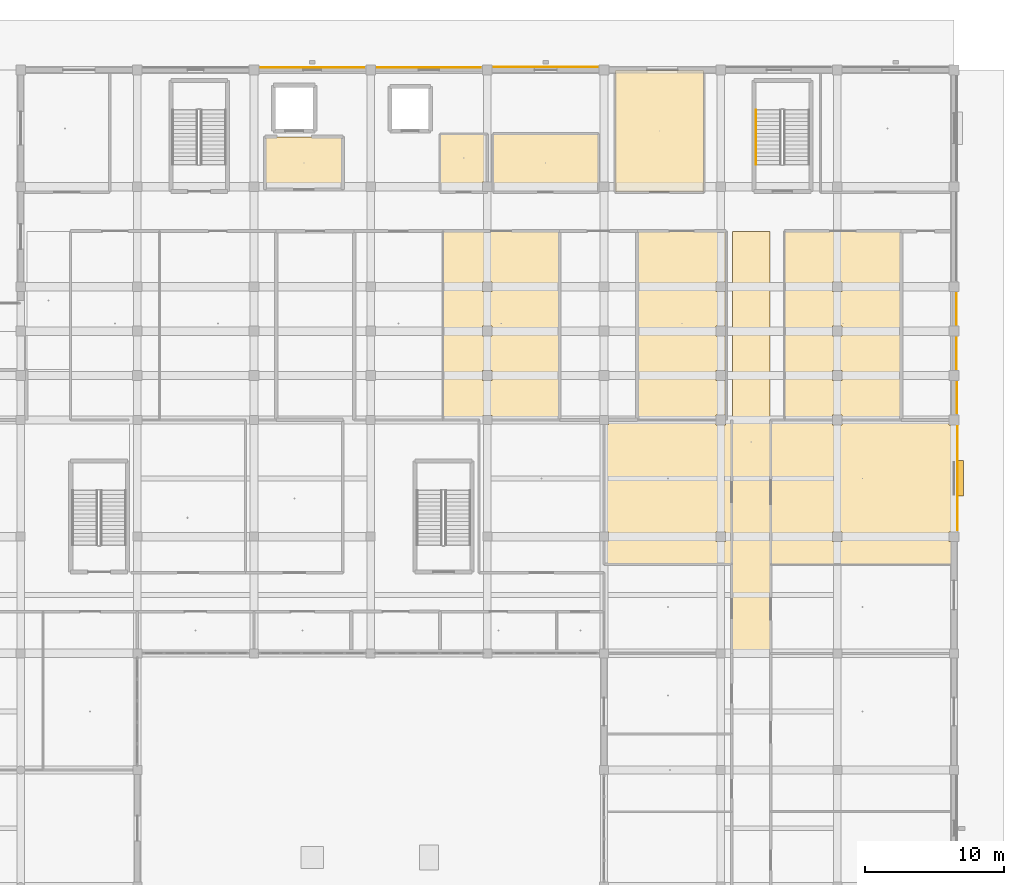
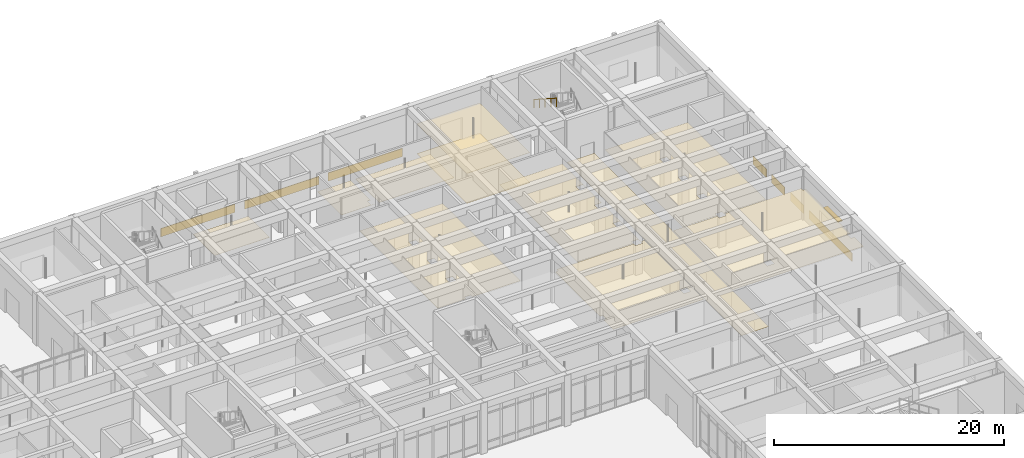
# One storey, part 166 of 167: 18 coverings, 1 railing, 1 shading device.
"""IFC4 building model written with IfcOpenShell, lengths in metres."""

from ifc_helpers import new_model, si_unit, direction, frame, origin, origin_2d, place, context, subcontext, project, spatial, polyline, rectangle, circle, outline, extrude, material, layer, layer_set, type_object, element, save


model = new_model("IFC4")

# Units and contexts
model_context = context("Model", 3, precision=1e-05, world=origin(), true_north=direction((0.0, 1.0)))
body_context = subcontext(model_context, "Body", "Model", "MODEL_VIEW")
ifc_project = project(units=[si_unit("LENGTHUNIT", "METRE"), si_unit("AREAUNIT", "SQUARE_METRE"), si_unit("VOLUMEUNIT", "CUBIC_METRE"), si_unit("PLANEANGLEUNIT", "RADIAN"), si_unit("MASSUNIT", "GRAM", prefix="KILO")], contexts=[model_context])

# Site, building, storey
site_placement = place(None, origin())
site = spatial("IfcSite", under=ifc_project, at=site_placement, CompositionType="ELEMENT")
building_placement = place(site_placement, origin())
building = spatial("IfcBuilding", under=site, at=building_placement, Name="Varncliffe General Hospital", CompositionType="ELEMENT")
storey_placement = place(building_placement, origin())
storey = spatial("IfcBuildingStorey", under=building, at=storey_placement, Name="L00", CompositionType="ELEMENT", Elevation=0.0)

# Coverings
ifc_material_1 = material(Name="Hygienic antimicrobial acoustic suspended ceiling tile", Category="gypsum")
ifc_layer_1 = layer(ifc_material_1, 0.02490234375)
ifc_layer_set_1 = layer_set([ifc_layer_1], Name="Hygienic antimicrobial acoustic suspended ceiling tile")
covering_type_1 = type_object("IfcCoveringType", Name="Antimicrobial Acoustic Suspended Ceiling CLG44", PredefinedType="CEILING", material=ifc_layer_set_1)
covering_1_placement = place(storey_placement, frame((0.0, 0.0, 3.175048828125)))
element("IfcCovering", 1, at=covering_1_placement, inside=storey, type_object=covering_type_1, Name="L00 Firefighting Lift Lobby LF03 Suspended Ceiling", PredefinedType="CEILING", context=body_context, shape_type="SweptSolid", body=[
    extrude(outline(polyline([(132.360107421875, 116.239990234375), (132.360107421875, 119.9599609375), (126.840087890625, 119.9599609375), (126.840087890625, 116.239990234375), (132.360107421875, 116.239990234375)])), origin(), (0.0, 0.0, 1.0), 0.02490234375),
])
covering_2_placement = place(storey_placement, frame((0.0, 0.0, 3.175048828125)))
element("IfcCovering", 2, at=covering_2_placement, inside=storey, type_object=covering_type_1, Name="L00 East Link Corridor L00 Suspended Ceiling", PredefinedType="CEILING", context=body_context, shape_type="SweptSolid", body=[
    extrude(outline(polyline([(163.159912109375, 82.840087890625), (163.159912109375, 113.159912109375), (160.43994140625, 113.159912109375), (160.43994140625, 82.840087890625), (163.159912109375, 82.840087890625)])), origin(), (0.0, 0.0, 1.0), 0.02490234375),
])
covering_3_placement = place(storey_placement, frame((0.0, 0.0, 3.175048828125)))
element("IfcCovering", 3, at=covering_3_placement, inside=storey, type_object=covering_type_1, Name="L00 Accessible WC L00-NE Suspended Ceiling", PredefinedType="CEILING", context=body_context, shape_type="SweptSolid", body=[
    extrude(outline(polyline([(142.760009765625, 116.0400390625), (139.43994140625, 116.0400390625), (139.43994140625, 120.159912109375), (142.760009765625, 120.159912109375), (142.760009765625, 116.75), (142.449951171875, 116.75), (142.449951171875, 116.050048828125), (142.760009765625, 116.050048828125), (142.760009765625, 116.0400390625)])), origin(), (0.0, 0.0, 1.0), 0.02490234375),
])
covering_4_placement = place(storey_placement, frame((0.0, 0.0, 3.175048828125)))
element("IfcCovering", 4, at=covering_4_placement, inside=storey, type_object=covering_type_1, Name="L00 Staff and Visitor WC L00-NE Suspended Ceiling", PredefinedType="CEILING", context=body_context, shape_type="SweptSolid", body=[
    extrude(outline(polyline([(150.760009765625, 116.0400390625), (150.760009765625, 120.159912109375), (143.239990234375, 120.159912109375), (143.239990234375, 116.0400390625), (150.760009765625, 116.0400390625)])), origin(), (0.0, 0.0, 1.0), 0.02490234375),
])
covering_5_placement = place(storey_placement, frame((0.0, 0.0, 3.175048828125)))
element("IfcCovering", 5, at=covering_5_placement, inside=storey, type_object=covering_type_1, Name="L00 Rehabilitation Ambulation Training Room 126 Suspended Ceiling", PredefinedType="CEILING", context=body_context, shape_type="SweptSolid", body=[
    extrude(outline(polyline([(139.639892578125, 99.639892578125), (139.639892578125, 113.159912109375), (147.9599609375, 113.159912109375), (147.9599609375, 99.639892578125), (143.125, 99.639892578125), (143.125, 99.925048828125), (142.47509765625, 99.925048828125), (142.47509765625, 99.639892578125), (139.639892578125, 99.639892578125)]), holes=[polyline([(143.14990234375, 102.449951171875), (143.14990234375, 103.14990234375), (142.449951171875, 103.14990234375), (142.449951171875, 102.449951171875), (143.14990234375, 102.449951171875)]), polyline([(143.14990234375, 105.64990234375), (143.14990234375, 106.35009765625), (142.449951171875, 106.35009765625), (142.449951171875, 105.64990234375), (143.14990234375, 105.64990234375)]), polyline([(143.14990234375, 108.85009765625), (143.14990234375, 109.550048828125), (142.449951171875, 109.550048828125), (142.449951171875, 108.85009765625), (143.14990234375, 108.85009765625)])]), origin(), (0.0, 0.0, 1.0), 0.02490234375),
])
covering_6_placement = place(storey_placement, frame((0.0, 0.0, 3.175048828125)))
element("IfcCovering", 6, at=covering_6_placement, inside=storey, type_object=covering_type_1, Name="L00 Outpatient Phlebotomy and Pre-Admission Clinic 128 Suspended Ceiling", PredefinedType="CEILING", context=body_context, shape_type="SweptSolid", body=[
    extrude(outline(polyline([(153.639892578125, 99.639892578125), (153.639892578125, 113.159912109375), (159.9599609375, 113.159912109375), (159.9599609375, 99.639892578125), (159.949951171875, 99.639892578125), (159.949951171875, 99.949951171875), (159.25, 99.949951171875), (159.25, 99.639892578125), (153.639892578125, 99.639892578125)]), holes=[polyline([(159.949951171875, 102.449951171875), (159.949951171875, 103.14990234375), (159.25, 103.14990234375), (159.25, 102.449951171875), (159.949951171875, 102.449951171875)]), polyline([(159.949951171875, 105.64990234375), (159.949951171875, 106.35009765625), (159.25, 106.35009765625), (159.25, 105.64990234375), (159.949951171875, 105.64990234375)]), polyline([(159.949951171875, 108.85009765625), (159.949951171875, 109.550048828125), (159.25, 109.550048828125), (159.25, 108.85009765625), (159.949951171875, 108.85009765625)])]), origin(), (0.0, 0.0, 1.0), 0.02490234375),
])
covering_7_placement = place(storey_placement, frame((0.0, 0.0, 3.175048828125)))
element("IfcCovering", 7, at=covering_7_placement, inside=storey, type_object=covering_type_1, Name="L00 Rehabilitation Ambulation Training Room 129 Suspended Ceiling", PredefinedType="CEILING", context=body_context, shape_type="SweptSolid", body=[
    extrude(outline(polyline([(164.239990234375, 99.639892578125), (164.239990234375, 113.159912109375), (172.56005859375, 113.159912109375), (172.56005859375, 99.639892578125), (168.35009765625, 99.639892578125), (168.35009765625, 99.949951171875), (167.64990234375, 99.949951171875), (167.64990234375, 99.639892578125), (164.239990234375, 99.639892578125)]), holes=[polyline([(168.35009765625, 102.449951171875), (168.35009765625, 103.14990234375), (167.64990234375, 103.14990234375), (167.64990234375, 102.449951171875), (168.35009765625, 102.449951171875)]), polyline([(168.35009765625, 105.64990234375), (168.35009765625, 106.35009765625), (167.64990234375, 106.35009765625), (167.64990234375, 105.64990234375), (168.35009765625, 105.64990234375)]), polyline([(168.35009765625, 108.85009765625), (168.35009765625, 109.550048828125), (167.64990234375, 109.550048828125), (167.64990234375, 108.85009765625), (168.35009765625, 108.85009765625)])]), origin(), (0.0, 0.0, 1.0), 0.02490234375),
])
covering_8_placement = place(storey_placement, frame((0.0, 0.0, 3.175048828125)))
element("IfcCovering", 8, at=covering_8_placement, inside=storey, type_object=covering_type_1, Name="L00 Outpatient Phlebotomy and Pre-Admission Clinic 135 Suspended Ceiling", PredefinedType="CEILING", context=body_context, shape_type="SweptSolid", body=[
    extrude(outline(polyline([(158.360107421875, 116.0400390625), (158.360107421875, 124.760009765625), (152.0400390625, 124.760009765625), (152.0400390625, 116.0400390625), (158.360107421875, 116.0400390625)])), origin(), (0.0, 0.0, 1.0), 0.02490234375),
])
covering_9_placement = place(storey_placement, frame((0.0, 0.0, 3.175048828125)))
element("IfcCovering", 9, at=covering_9_placement, inside=storey, type_object=covering_type_1, Name="L00 Rehabilitation Ambulation Training Room 140 Suspended Ceiling", PredefinedType="CEILING", context=body_context, shape_type="SweptSolid", body=[
    extrude(outline(polyline([(160.360107421875, 89.239990234375), (151.239990234375, 89.239990234375), (151.239990234375, 90.875), (151.52490234375, 90.875), (151.52490234375, 91.52490234375), (151.239990234375, 91.52490234375), (151.239990234375, 99.27490234375), (151.52490234375, 99.27490234375), (151.52490234375, 99.56005859375), (159.25, 99.56005859375), (159.25, 99.25), (159.949951171875, 99.25), (159.949951171875, 99.56005859375), (160.360107421875, 99.56005859375), (160.360107421875, 89.239990234375)]), holes=[polyline([(159.949951171875, 90.85009765625), (159.949951171875, 91.550048828125), (159.25, 91.550048828125), (159.25, 90.85009765625), (159.949951171875, 90.85009765625)])]), origin(), (0.0, 0.0, 1.0), 0.02490234375),
])
covering_10_placement = place(storey_placement, frame((0.0, 0.0, 3.175048828125)))
element("IfcCovering", 10, at=covering_10_placement, inside=storey, type_object=covering_type_1, Name="L00 Rehabilitation Ambulation Training Room 142 Suspended Ceiling", PredefinedType="CEILING", context=body_context, shape_type="SweptSolid", body=[
    extrude(outline(polyline([(176.050048828125, 91.550048828125), (176.050048828125, 90.85009765625), (176.360107421875, 90.85009765625), (176.360107421875, 89.239990234375), (163.239990234375, 89.239990234375), (163.239990234375, 99.56005859375), (167.64990234375, 99.56005859375), (167.64990234375, 99.25), (168.35009765625, 99.25), (168.35009765625, 99.56005859375), (176.050048828125, 99.56005859375), (176.050048828125, 99.25), (176.360107421875, 99.25), (176.360107421875, 91.550048828125), (176.050048828125, 91.550048828125)]), holes=[polyline([(168.35009765625, 90.85009765625), (168.35009765625, 91.550048828125), (167.64990234375, 91.550048828125), (167.64990234375, 90.85009765625), (168.35009765625, 90.85009765625)])]), origin(), (0.0, 0.0, 1.0), 0.02490234375),
])

# Shading device
ifc_material_2 = material(Name="Dark bronze extruded aluminium solar jalousie louvres", Category="aluminium")
ifc_layer_2 = layer(ifc_material_2, 0.080078125)
ifc_layer_set_2 = layer_set([ifc_layer_2], Name="Dark bronze extruded aluminium solar jalousie louvres")
shading_device_type = type_object("IfcShadingDeviceType", Name="Bronze Solar Jalousie Louvre Hood SHD18", PredefinedType="JALOUSIE", material=ifc_layer_set_2)
shading_device_placement = place(storey_placement, frame((176.85009765625, 95.39990234375, 2.659912109375), z_axis=(0.0, 0.0, 1.0), x_axis=(0.0, -1.0, 0.0)))
element("IfcShadingDevice", 11, at=shading_device_placement, inside=storey, type_object=shading_device_type, Name="L00 Bronze Window Sun-Shading Louvre 3", PredefinedType="JALOUSIE", context=body_context, shape_type="SweptSolid", body=[
    extrude(rectangle(XDim=2.550048828125, YDim=0.449951171875, at=origin_2d()), origin(), (0.0, 0.0, 1.0), 0.080078125),
])

# Coverings
ifc_material_3 = material(Name="Credit Valley buff limestone ashlar cladding", Category="masonry")
ifc_layer_3 = layer(ifc_material_3, 0.050048828125)
ifc_layer_set_3 = layer_set([ifc_layer_3], Name="Credit Valley buff limestone ashlar cladding")
covering_type_2 = type_object("IfcCoveringType", Name="Credit Valley Limestone Ashlar Plinth Cladding CLD17", PredefinedType="CLADDING", material=ifc_layer_set_3)
for number, where, z_axis, x_axis, name in (
    (12, (130.199951171875, 124.97998046875, 0.010009765625), (0.0, 0.0, 1.0), (1.0, 0.0, 0.0), "L00 Limestone Base Cladding 16"),
    (13, (138.60009765625, 124.969970703125, 0.010009765625), (0.0, 0.0, 1.0), (1.0, 0.0, 0.0), "L00 Limestone Base Cladding 17"),
    (14, (147.0, 125.014892578125, 0.010009765625), (0.0, 0.0, 1.0), (1.0, 0.0, 0.0), "L00 Limestone Base Cladding 18"),
):
    element("IfcCovering", number, at=place(storey_placement, frame(where, z_axis=z_axis, x_axis=x_axis)), inside=storey, type_object=covering_type_2, Name=name, PredefinedType="CLADDING", context=body_context, shape_type="SweptSolid", body=[
        extrude(rectangle(XDim=7.464111328125, YDim=0.050048828125, at=origin_2d()), origin(), (0.0, 0.0, 1.0), 0.8798828125),
    ])
for number, where, z_axis, x_axis, name in (
    (15, (176.580078125, 107.60009765625, 0.010009765625), (0.0, 0.0, 1.0), (0.0, -1.0, 0.0), "L00 Limestone Base Cladding 23"),
    (16, (176.570068359375, 104.39990234375, 0.010009765625), (0.0, 0.0, 1.0), (0.0, -1.0, 0.0), "L00 Limestone Base Cladding 24"),
    (17, (176.614990234375, 101.199951171875, 0.010009765625), (0.0, 0.0, 1.0), (0.0, -1.0, 0.0), "L00 Limestone Base Cladding 25"),
):
    element("IfcCovering", number, at=place(storey_placement, frame(where, z_axis=z_axis, x_axis=x_axis)), inside=storey, type_object=covering_type_2, Name=name, PredefinedType="CLADDING", context=body_context, shape_type="SweptSolid", body=[
        extrude(rectangle(XDim=2.263916015625, YDim=0.050048828125, at=origin_2d()), origin(), (0.0, 0.0, 1.0), 0.8798828125),
    ])
covering_11_placement = place(storey_placement, frame((176.64990234375, 95.39990234375, 0.010009765625), z_axis=(0.0, 0.0, 1.0), x_axis=(0.0, -1.0, 0.0)))
element("IfcCovering", 18, at=covering_11_placement, inside=storey, type_object=covering_type_2, Name="L00 Limestone Base Cladding 26", PredefinedType="CLADDING", context=body_context, shape_type="SweptSolid", body=[
    extrude(rectangle(XDim=7.464111328125, YDim=0.050048828125, at=origin_2d()), origin(), (0.0, 0.0, 1.0), 0.8798828125),
])
ifc_material_4 = material(Name="Seamless welded hospital sheet linoleum and terrazzo flooring", Category="linoleum")
ifc_layer_4 = layer(ifc_material_4, 0.011962890625)
ifc_layer_set_4 = layer_set([ifc_layer_4], Name="Seamless welded hospital sheet linoleum and terrazzo flooring")
covering_type_3 = type_object("IfcCoveringType", Name="Seamless Hospital Linoleum Flooring FLR19", PredefinedType="FLOORING", material=ifc_layer_set_4)
covering_12_placement = place(storey_placement, origin())
element("IfcCovering", 19, at=covering_12_placement, inside=storey, type_object=covering_type_3, Name="L00 Outpatient Phlebotomy and Pre-Admission Clinic 135 Seamless Flooring", PredefinedType="FLOORING", context=body_context, shape_type="SweptSolid", body=[
    extrude(outline(polyline([(158.360107421875, 116.0400390625), (158.360107421875, 124.760009765625), (152.0400390625, 124.760009765625), (152.0400390625, 116.0400390625), (158.360107421875, 116.0400390625)])), origin(), (0.0, 0.0, 1.0), 0.011962890625),
])

# Railing
ifc_material_5 = material(Name="Powder-coated hospital steel guardrail and handrail", Category="steel")
railing_type = type_object("IfcRailingType", Name="Stair and Ramp Handrail HR46", PredefinedType="HANDRAIL", material=ifc_material_5)
railing_placement = place(storey_placement, frame((162.14990234375, 121.919921875, 3.06396484375)))
element("IfcRailing", 20, at=railing_placement, inside=storey, type_object=railing_type, Name="L00 ST04 stair handrail 2", PredefinedType="HANDRAIL", context=body_context, shape_type="SweptSolid", body=[
    extrude(circle(Radius=0.02392578125, at=origin_2d()), frame((0.0, 0.0, 0.8759765625), z_axis=(0.0, -0.841171666519, 0.540768182723), x_axis=(1.0, 0.0, 0.0)), (0.0, 0.0, 1.0), 4.66015625),
    extrude(circle(Radius=0.02099609375, at=origin_2d()), origin(), (0.0, 0.0, 1.0), 0.851806640625),
    extrude(circle(Radius=0.02099609375, at=origin_2d()), frame((0.0, -0.97998046875, 0.6298828125)), (0.0, 0.0, 1.0), 0.851806640625),
    extrude(circle(Radius=0.02099609375, at=origin_2d()), frame((0.0, -1.9599609375, 1.260009765625)), (0.0, 0.0, 1.0), 0.851806640625),
    extrude(circle(Radius=0.02099609375, at=origin_2d()), frame((0.0, -2.93994140625, 1.89013671875)), (0.0, 0.0, 1.0), 0.851806640625),
    extrude(circle(Radius=0.02099609375, at=origin_2d()), frame((0.0, -3.919921875, 2.52001953125)), (0.0, 0.0, 1.0), 0.851806640625),
])

save(model, "model.ifc")
